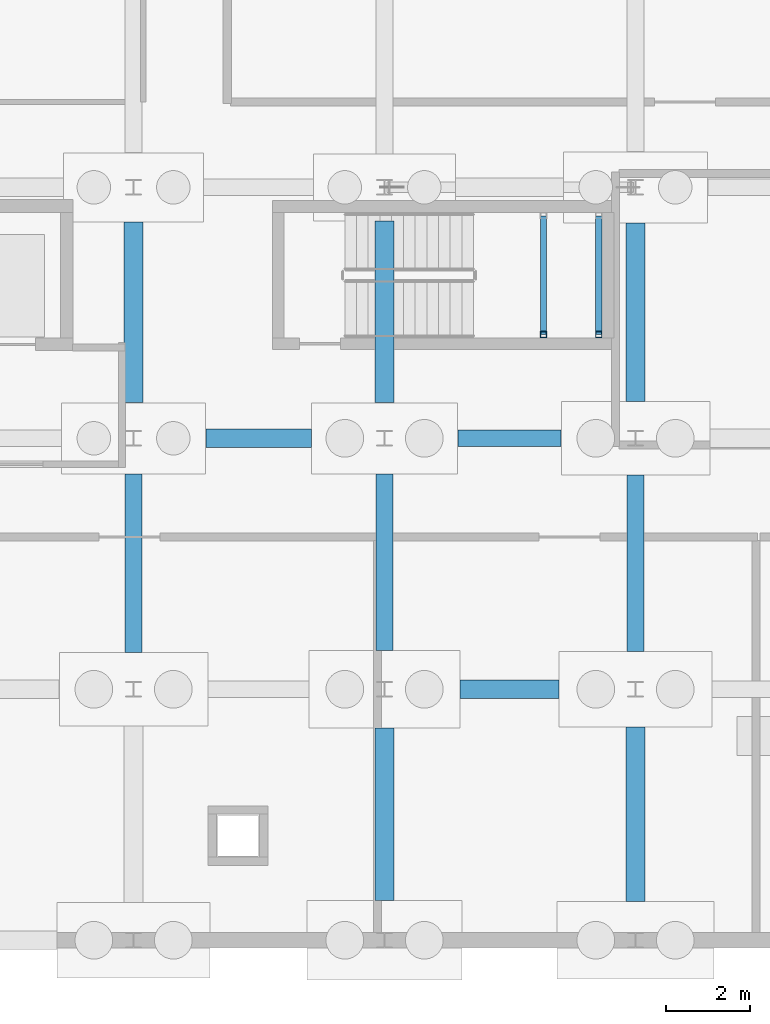
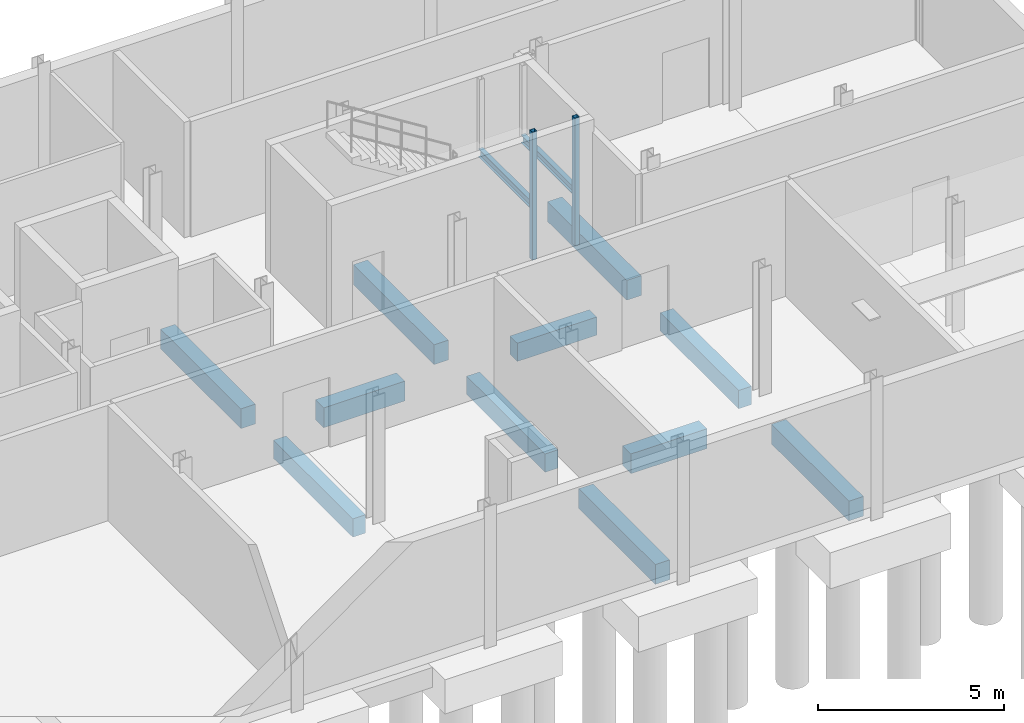
# One storey, part 4 of 12: 13 beams, 2 members.
"""IFC4 building model written with IfcOpenShell, lengths in metres."""

from ifc_helpers import new_model, si_unit, direction, frame, origin, origin_2d, place, context, subcontext, project, spatial, rectangle, hollow_rectangle, i_section, extrude, material, material_profile, profile_set, type_object, element, save


model = new_model("IFC4")

# Units and contexts
model_context = context("Model", 3, precision=1e-05, world=origin(), true_north=direction((0.0, 1.0)))
body_context = subcontext(model_context, "Body", "Model", "MODEL_VIEW")
ifc_project = project(units=[si_unit("LENGTHUNIT", "METRE"), si_unit("AREAUNIT", "SQUARE_METRE"), si_unit("VOLUMEUNIT", "CUBIC_METRE"), si_unit("PLANEANGLEUNIT", "RADIAN"), si_unit("MASSUNIT", "GRAM", prefix="KILO")], contexts=[model_context])

# Site, building, storey
site_placement = place(None, origin())
site = spatial("IfcSite", under=ifc_project, at=site_placement, CompositionType="ELEMENT")
building_placement = place(site_placement, origin())
building = spatial("IfcBuilding", under=site, at=building_placement, Name="Siltcreek Boulevard Central Fire Station", CompositionType="ELEMENT")
storey_placement = place(building_placement, frame((0.0, 0.0, -4.199951171875)))
storey = spatial("IfcBuildingStorey", under=building, at=storey_placement, Name="B01", CompositionType="ELEMENT", Elevation=-4.199951171875)

# Members
ifc_material_1 = material(Name="Structural steel ASTM A500 GrC", Category="steel")
ifc_material_profile_1 = material_profile(ifc_material_1, hollow_rectangle(XDim=0.14990234375, YDim=0.14990234375, WallThickness=0.008056640625, at=origin_2d()), Name="HSS150X150X8.0")
ifc_profile_set_1 = profile_set([ifc_material_profile_1], Name="Structural steel ASTM A500 GrC")
member_type = type_object("IfcMemberType", Name="BR_HSS150_8", PredefinedType="BRACE", material=ifc_profile_set_1)
for number, where, z_axis, x_axis, name in (
    (1, (152.0, 102.679931640625, 0.0), (0.0, 0.0, 1.0), (1.0, 0.0, 0.0), "B01 ST-V5B stair landing corner post SW"),
    (2, (153.320068359375, 102.679931640625, 0.0), (0.0, 0.0, 1.0), (1.0, 0.0, 0.0), "B01 ST-V5B stair landing corner post SE"),
):
    element("IfcMember", number, at=place(storey_placement, frame(where, z_axis=z_axis, x_axis=x_axis)), inside=storey, type_object=member_type, Name=name, PredefinedType="BRACE", context=body_context, shape_type="SweptSolid", body=[
        extrude(hollow_rectangle(XDim=0.14990234375, YDim=0.14990234375, WallThickness=0.008056640625, at=origin_2d()), origin(), (0.0, 0.0, 1.0), 4.199951171875),
    ])

# Beams
ifc_material_2 = material(Name="Concrete C35/45", Category="concrete")
ifc_material_profile_2 = material_profile(ifc_material_2, rectangle(XDim=0.39990234375, YDim=0.60009765625, at=origin_2d()), Name="RC400X600")
ifc_profile_set_2 = profile_set([ifc_material_profile_2], Name="Concrete C35/45")
beam_type_1 = type_object("IfcBeamType", Name="GB_RC400X600", PredefinedType="USERDEFINED", material=ifc_profile_set_2)
beam_1_placement = place(storey_placement, frame((149.951904296875, 100.199951171875, -0.75), z_axis=(1.0, 0.0, 0.0), x_axis=(0.0, 1.0, 0.0)))
element("IfcBeam", 3, at=beam_1_placement, inside=storey, type_object=beam_type_1, Name="Reinforced concrete tie grade beam GB-249", ObjectType="GRADE BEAM", PredefinedType="USERDEFINED", context=body_context, shape_type="SweptSolid", body=[
    extrude(rectangle(XDim=0.39990234375, YDim=0.60009765625, at=origin_2d()), origin(), (0.0, 0.0, 1.0), 2.47119140625),
])
beam_2_placement = place(storey_placement, frame((142.199951171875, 95.076904296875, -0.75), z_axis=(0.0, 1.0, 0.0), x_axis=(-1.0, 0.0, 0.0)))
element("IfcBeam", 4, at=beam_2_placement, inside=storey, type_object=beam_type_1, Name="Reinforced concrete tie grade beam GB-279", ObjectType="GRADE BEAM", PredefinedType="USERDEFINED", context=body_context, shape_type="SweptSolid", body=[
    extrude(rectangle(XDim=0.39990234375, YDim=0.60009765625, at=origin_2d()), origin(), (0.0, 0.0, 1.0), 4.27099609375),
])
for number, where, z_axis, x_axis, name in (
    (5, (148.199951171875, 95.126953125, -0.75), (0.0, 1.0, 0.0), (-1.0, 0.0, 0.0), "Reinforced concrete tie grade beam GB-283"),
    (6, (154.199951171875, 95.10205078125, -0.75), (0.0, 1.0, 0.0), (-1.0, 0.0, 0.0), "Reinforced concrete tie grade beam GB-287"),
):
    element("IfcBeam", number, at=place(storey_placement, frame(where, z_axis=z_axis, x_axis=x_axis)), inside=storey, type_object=beam_type_1, Name=name, ObjectType="GRADE BEAM", PredefinedType="USERDEFINED", context=body_context, shape_type="SweptSolid", body=[
        extrude(rectangle(XDim=0.39990234375, YDim=0.60009765625, at=origin_2d()), origin(), (0.0, 0.0, 1.0), 4.220947265625),
    ])
ifc_material_profile_3 = material_profile(ifc_material_2, rectangle(XDim=0.449951171875, YDim=0.64990234375, at=origin_2d()), Name="RC450X650")
ifc_profile_set_3 = profile_set([ifc_material_profile_3], Name="Concrete C35/45")
beam_type_2 = type_object("IfcBeamType", Name="GB_RC450X650", PredefinedType="USERDEFINED", material=ifc_profile_set_3)
beam_3_placement = place(storey_placement, frame((150.001953125, 94.199951171875, -0.775146484375), z_axis=(1.0, 0.0, 0.0), x_axis=(0.0, 1.0, 0.0)))
element("IfcBeam", 7, at=beam_3_placement, inside=storey, type_object=beam_type_2, Name="Reinforced concrete tie grade beam GB-242", ObjectType="GRADE BEAM", PredefinedType="USERDEFINED", context=body_context, shape_type="SweptSolid", body=[
    extrude(rectangle(XDim=0.449951171875, YDim=0.64990234375, at=origin_2d()), origin(), (0.0, 0.0, 1.0), 2.37109375),
])
beam_4_placement = place(storey_placement, frame((143.927001953125, 100.199951171875, -0.775146484375), z_axis=(1.0, 0.0, 0.0), x_axis=(0.0, 1.0, 0.0)))
element("IfcBeam", 8, at=beam_4_placement, inside=storey, type_object=beam_type_2, Name="Reinforced concrete tie grade beam GB-248", ObjectType="GRADE BEAM", PredefinedType="USERDEFINED", context=body_context, shape_type="SweptSolid", body=[
    extrude(rectangle(XDim=0.449951171875, YDim=0.64990234375, at=origin_2d()), origin(), (0.0, 0.0, 1.0), 2.52099609375),
])
beam_5_placement = place(storey_placement, frame((142.199951171875, 101.052001953125, -0.775146484375), z_axis=(0.0, 1.0, 0.0), x_axis=(-1.0, 0.0, 0.0)))
element("IfcBeam", 9, at=beam_5_placement, inside=storey, type_object=beam_type_2, Name="Reinforced concrete tie grade beam GB-280", ObjectType="GRADE BEAM", PredefinedType="USERDEFINED", context=body_context, shape_type="SweptSolid", body=[
    extrude(rectangle(XDim=0.449951171875, YDim=0.64990234375, at=origin_2d()), origin(), (0.0, 0.0, 1.0), 4.321044921875),
])
beam_6_placement = place(storey_placement, frame((148.199951171875, 89.152099609375, -0.775146484375), z_axis=(0.0, 1.0, 0.0), x_axis=(-1.0, 0.0, 0.0)))
element("IfcBeam", 10, at=beam_6_placement, inside=storey, type_object=beam_type_2, Name="Reinforced concrete tie grade beam GB-282", ObjectType="GRADE BEAM", PredefinedType="USERDEFINED", context=body_context, shape_type="SweptSolid", body=[
    extrude(rectangle(XDim=0.449951171875, YDim=0.64990234375, at=origin_2d()), origin(), (0.0, 0.0, 1.0), 4.120849609375),
])
beam_7_placement = place(storey_placement, frame((148.199951171875, 101.052001953125, -0.775146484375), z_axis=(0.0, 1.0, 0.0), x_axis=(-1.0, 0.0, 0.0)))
element("IfcBeam", 11, at=beam_7_placement, inside=storey, type_object=beam_type_2, Name="Reinforced concrete tie grade beam GB-284", ObjectType="GRADE BEAM", PredefinedType="USERDEFINED", context=body_context, shape_type="SweptSolid", body=[
    extrude(rectangle(XDim=0.449951171875, YDim=0.64990234375, at=origin_2d()), origin(), (0.0, 0.0, 1.0), 4.345947265625),
])
beam_8_placement = place(storey_placement, frame((154.199951171875, 89.126953125, -0.775146484375), z_axis=(0.0, 1.0, 0.0), x_axis=(-1.0, 0.0, 0.0)))
element("IfcBeam", 12, at=beam_8_placement, inside=storey, type_object=beam_type_2, Name="Reinforced concrete tie grade beam GB-286", ObjectType="GRADE BEAM", PredefinedType="USERDEFINED", context=body_context, shape_type="SweptSolid", body=[
    extrude(rectangle(XDim=0.449951171875, YDim=0.64990234375, at=origin_2d()), origin(), (0.0, 0.0, 1.0), 4.171142578125),
])
beam_9_placement = place(storey_placement, frame((154.199951171875, 101.076904296875, -0.775146484375), z_axis=(0.0, 1.0, 0.0), x_axis=(-1.0, 0.0, 0.0)))
element("IfcBeam", 13, at=beam_9_placement, inside=storey, type_object=beam_type_2, Name="Reinforced concrete tie grade beam GB-288", ObjectType="GRADE BEAM", PredefinedType="USERDEFINED", context=body_context, shape_type="SweptSolid", body=[
    extrude(rectangle(XDim=0.449951171875, YDim=0.64990234375, at=origin_2d()), origin(), (0.0, 0.0, 1.0), 4.27099609375),
])
ifc_material_3 = material(Name="Structural steel ASTM A992 Gr50", Category="steel")
ifc_material_profile_4 = material_profile(ifc_material_3, i_section(OverallWidth=0.14697265625, OverallDepth=0.261962890625, WebThickness=0.006591796875, FlangeThickness=0.01123046875, at=origin_2d()), Name="W250X39")
ifc_profile_set_4 = profile_set([ifc_material_profile_4], Name="Structural steel ASTM A992 Gr50")
beam_type_3 = type_object("IfcBeamType", Name="JST_W250X39", PredefinedType="JOIST", material=ifc_profile_set_4)
for number, where, z_axis, x_axis, name in (
    (14, (152.0, 102.679931640625, 1.76904296875), (0.0, 1.0, 0.0), (-1.0, 0.0, 0.0), "B01 ST-V5B stair landing bearer MIDW"),
    (15, (153.320068359375, 102.679931640625, 1.76904296875), (0.0, 1.0, 0.0), (-1.0, 0.0, 0.0), "B01 ST-V5B stair landing bearer MIDE"),
):
    element("IfcBeam", number, at=place(storey_placement, frame(where, z_axis=z_axis, x_axis=x_axis)), inside=storey, type_object=beam_type_3, Name=name, PredefinedType="JOIST", context=body_context, shape_type="SweptSolid", body=[
        extrude(i_section(OverallWidth=0.14697265625, OverallDepth=0.261962890625, WebThickness=0.006591796875, FlangeThickness=0.01123046875, at=origin_2d()), origin(), (0.0, 0.0, 1.0), 2.840087890625),
    ])

save(model, "model.ifc")
